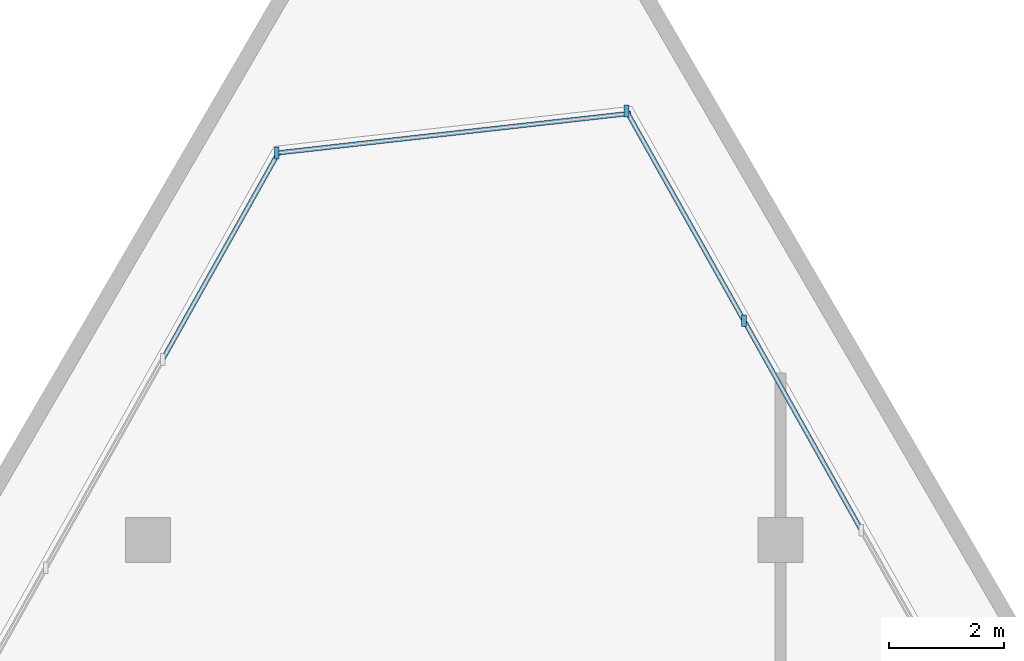
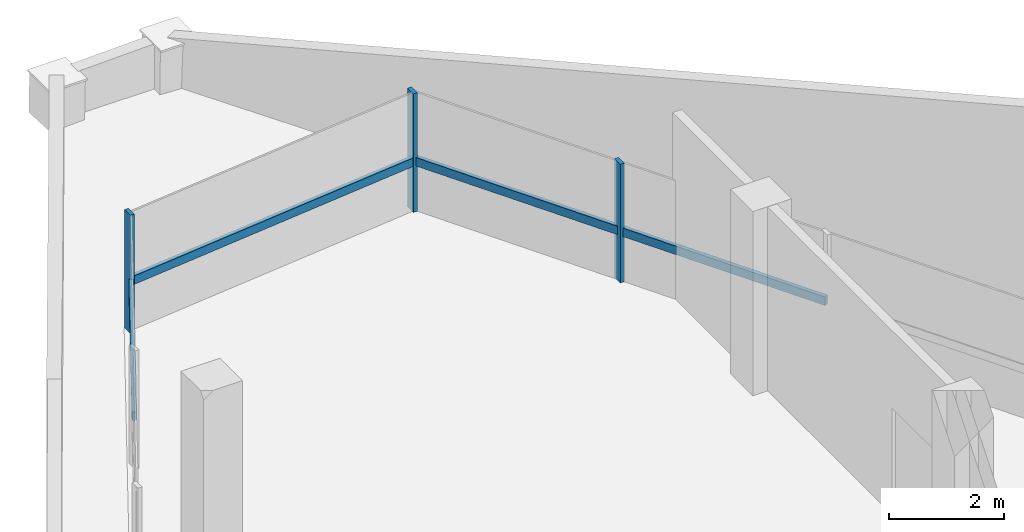
# One storey, part 4 of 8: 7 members, 3 elements without a shape of their own.
"""IFC4 building model written with IfcOpenShell, lengths in metres."""

from ifc_helpers import new_model, si_unit, direction, frame, origin, origin_2d, place, context, subcontext, project, spatial, rectangle, extrude, source, transform, mapped, material, material_profile, profile_set, type_object, element, aggregate, save


model = new_model("IFC4")

# Units and contexts
model_context = context("Model", 3, precision=1e-05, world=origin(), true_north=direction((0.0, 1.0)))
body_context = subcontext(model_context, "Body", "Model", "MODEL_VIEW")
ifc_project = project(units=[si_unit("LENGTHUNIT", "METRE"), si_unit("AREAUNIT", "SQUARE_METRE"), si_unit("VOLUMEUNIT", "CUBIC_METRE"), si_unit("PLANEANGLEUNIT", "RADIAN"), si_unit("MASSUNIT", "GRAM", prefix="KILO")], contexts=[model_context])

# Site, building, storey
site_placement = place(None, origin())
site = spatial("IfcSite", under=ifc_project, at=site_placement, CompositionType="ELEMENT")
building_placement = place(site_placement, origin())
building = spatial("IfcBuilding", under=site, at=building_placement, Name="Varnakhor Terracotta Tower", CompositionType="ELEMENT")
storey_placement = place(building_placement, frame((0.0, 0.0, 329.199951171875)))
storey = spatial("IfcBuildingStorey", under=building, at=storey_placement, Name="L86 Crown", CompositionType="ELEMENT", Elevation=329.199951171875)

# Curtain wall, member
ifc_material_1 = material(Name="Anodised Aluminium Curtain Wall System", Category="aluminium")
curtain_wall_type = type_object("IfcCurtainWallType", Name="CW-SYS-CROWN", PredefinedType="NOTDEFINED", material=ifc_material_1)
curtain_wall_1_placement = place(storey_placement, origin())
curtain_wall_1 = element("IfcCurtainWall", 1, at=curtain_wall_1_placement, inside=storey, type_object=curtain_wall_type, Name="L86 Crown Facet Curtain Wall 5", PredefinedType="NOTDEFINED")
ifc_material_2 = material(Name="Anodised Aluminium 6063-T6", Category="aluminium")
ifc_material_profile_1 = material_profile(ifc_material_2, rectangle(XDim=0.080078125, YDim=0.205078125, at=origin_2d()), Name="ALU MULLION 80x205")
ifc_profile_set_1 = profile_set([ifc_material_profile_1], Name="Anodised Aluminium 6063-T6")
member_type_1 = type_object("IfcMemberType", Name="CWM-06", PredefinedType="MULLION", material=ifc_profile_set_1)
shared_shape_1 = source(origin(), body_context, "Body", "SweptSolid", [
    extrude(rectangle(XDim=0.080078125, YDim=0.205078125, at=origin_2d()), origin(), (0.0, 0.0, 1.0), 2.510009765625),
])
member_1_placement = place(storey_placement, frame((-3.26171875, 38.22998046875, 0.0), z_axis=(0.0, 0.0, 1.0), x_axis=(1.0, 0.0, 0.0)))
member_1 = element("IfcMember", 2, at=member_1_placement, type_object=member_type_1, Name="L86 Crown Facet Curtain Wall 5 Mullion 1", PredefinedType="MULLION", context=body_context, shape_type="MappedRepresentation", body=[
    mapped(shared_shape_1, transform((0.0, 0.0, 0.0), scale=1.0)),
])

# Curtain wall, members
curtain_wall_2_placement = place(storey_placement, origin())
curtain_wall_2 = element("IfcCurtainWall", 3, at=curtain_wall_2_placement, inside=storey, type_object=curtain_wall_type, Name="L86 Crown Facet Curtain Wall 6", PredefinedType="NOTDEFINED")
member_2_placement = place(storey_placement, frame((2.823486328125, 38.959228515625, 0.0), z_axis=(0.0, 0.0, 1.0), x_axis=(1.0, 0.0, 0.0)))
member_2 = element("IfcMember", 4, at=member_2_placement, type_object=member_type_1, Name="L86 Crown Facet Curtain Wall 6 Mullion 1", PredefinedType="MULLION", context=body_context, shape_type="MappedRepresentation", body=[
    mapped(shared_shape_1, transform((0.0, 0.0, 0.0), scale=1.0)),
])
member_3_placement = place(storey_placement, frame((4.865478515625, 35.3154296875, 0.0), z_axis=(0.0, 0.0, 1.0), x_axis=(1.0, 0.0, 0.0)))
member_3 = element("IfcMember", 5, at=member_3_placement, type_object=member_type_1, Name="L86 Crown Facet Curtain Wall 6 Mullion 2", PredefinedType="MULLION", context=body_context, shape_type="MappedRepresentation", body=[
    mapped(shared_shape_1, transform((0.0, 0.0, 0.0), scale=1.0)),
])

# Curtain wall, member
curtain_wall_3_placement = place(storey_placement, origin())
curtain_wall_3 = element("IfcCurtainWall", 6, at=curtain_wall_3_placement, inside=storey, type_object=curtain_wall_type, Name="L86 Crown Facet Curtain Wall 4", PredefinedType="NOTDEFINED")
ifc_material_profile_2 = material_profile(ifc_material_2, rectangle(XDim=0.080078125, YDim=0.179931640625, at=origin_2d()), Name="ALU TRANSOM 80x180")
ifc_profile_set_2 = profile_set([ifc_material_profile_2], Name="Anodised Aluminium 6063-T6")
member_type_2 = type_object("IfcMemberType", Name="CWT-06", PredefinedType="USERDEFINED", material=ifc_profile_set_2)
shared_shape_2 = source(origin(), body_context, "Body", "SweptSolid", [
    extrude(rectangle(XDim=0.080078125, YDim=0.179931640625, at=origin_2d()), origin(), (0.0, 0.0, 1.0), 4.150146484375),
])
member_4_placement = place(storey_placement, frame((-5.24365234375, 34.640625, 1.05419921875), z_axis=(0.488861302596, 0.872361523008, 0.0), x_axis=(-0.872361523008, 0.488861302596, 0.0)))
member_4 = element("IfcMember", 7, at=member_4_placement, type_object=member_type_2, Name="L86 Crown Facet Curtain Wall 4 Transom 10", ObjectType="TRANSOM", PredefinedType="USERDEFINED", context=body_context, shape_type="MappedRepresentation", body=[
    mapped(shared_shape_2, transform((0.0, 0.0, 0.0), scale=1.0)),
])
aggregate(curtain_wall_3, [member_4])

# Member
shared_shape_3 = source(origin(), body_context, "Body", "SweptSolid", [
    extrude(rectangle(XDim=0.080078125, YDim=0.179931640625, at=origin_2d()), origin(), (0.0, 0.0, 1.0), 6.197509765625),
])
member_5_placement = place(storey_placement, frame((-3.26171875, 38.22998046875, 1.05419921875), z_axis=(0.993757710213, 0.111559909435, 0.0), x_axis=(-0.111559909435, 0.993757710213, 0.0)))
member_5 = element("IfcMember", 8, at=member_5_placement, type_object=member_type_2, Name="L86 Crown Facet Curtain Wall 5 Transom 1", ObjectType="TRANSOM", PredefinedType="USERDEFINED", context=body_context, shape_type="MappedRepresentation", body=[
    mapped(shared_shape_3, transform((0.0, 0.0, 0.0), scale=1.0)),
])

aggregate(curtain_wall_1, [member_1, member_5])

shared_shape_4 = source(origin(), body_context, "Body", "SweptSolid", [
    extrude(rectangle(XDim=0.080078125, YDim=0.179931640625, at=origin_2d()), origin(), (0.0, 0.0, 1.0), 4.177001953125),
])
member_6_placement = place(storey_placement, frame((2.823486328125, 38.959228515625, 1.05419921875), z_axis=(0.488870319314, -0.872356470082, 0.0), x_axis=(0.872356470082, 0.488870319314, 0.0)))
member_6 = element("IfcMember", 9, at=member_6_placement, type_object=member_type_2, Name="L86 Crown Facet Curtain Wall 6 Transom 1", ObjectType="TRANSOM", PredefinedType="USERDEFINED", context=body_context, shape_type="MappedRepresentation", body=[
    mapped(shared_shape_4, transform((0.0, 0.0, 0.0), scale=1.0)),
])

shared_shape_5 = source(origin(), body_context, "Body", "SweptSolid", [
    extrude(rectangle(XDim=0.080078125, YDim=0.179931640625, at=origin_2d()), origin(), (0.0, 0.0, 1.0), 4.176513671875),
])
member_7_placement = place(storey_placement, frame((4.865478515625, 35.3154296875, 1.05419921875), z_axis=(0.488850764189, -0.872367428525, 0.0), x_axis=(0.872367428525, 0.488850764189, 0.0)))
member_7 = element("IfcMember", 10, at=member_7_placement, type_object=member_type_2, Name="L86 Crown Facet Curtain Wall 6 Transom 2", ObjectType="TRANSOM", PredefinedType="USERDEFINED", context=body_context, shape_type="MappedRepresentation", body=[
    mapped(shared_shape_5, transform((0.0, 0.0, 0.0), scale=1.0)),
])

aggregate(curtain_wall_2, [member_2, member_6, member_3, member_7])

save(model, "model.ifc")
